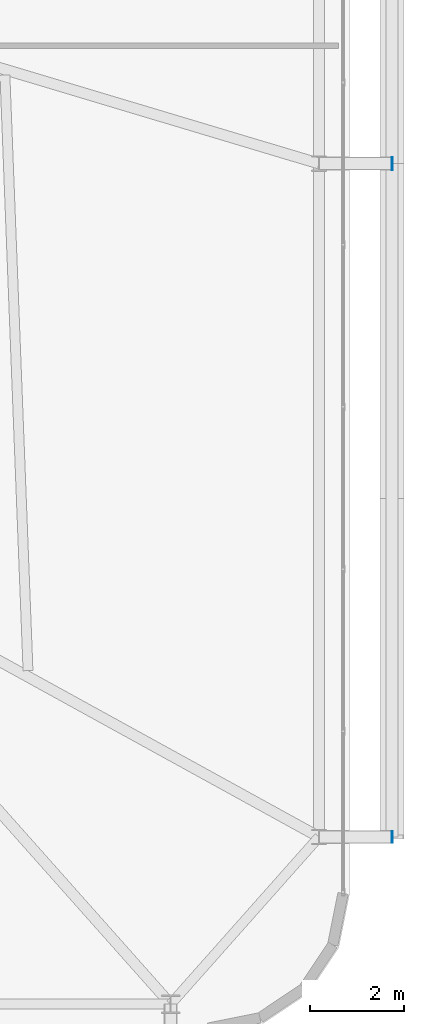
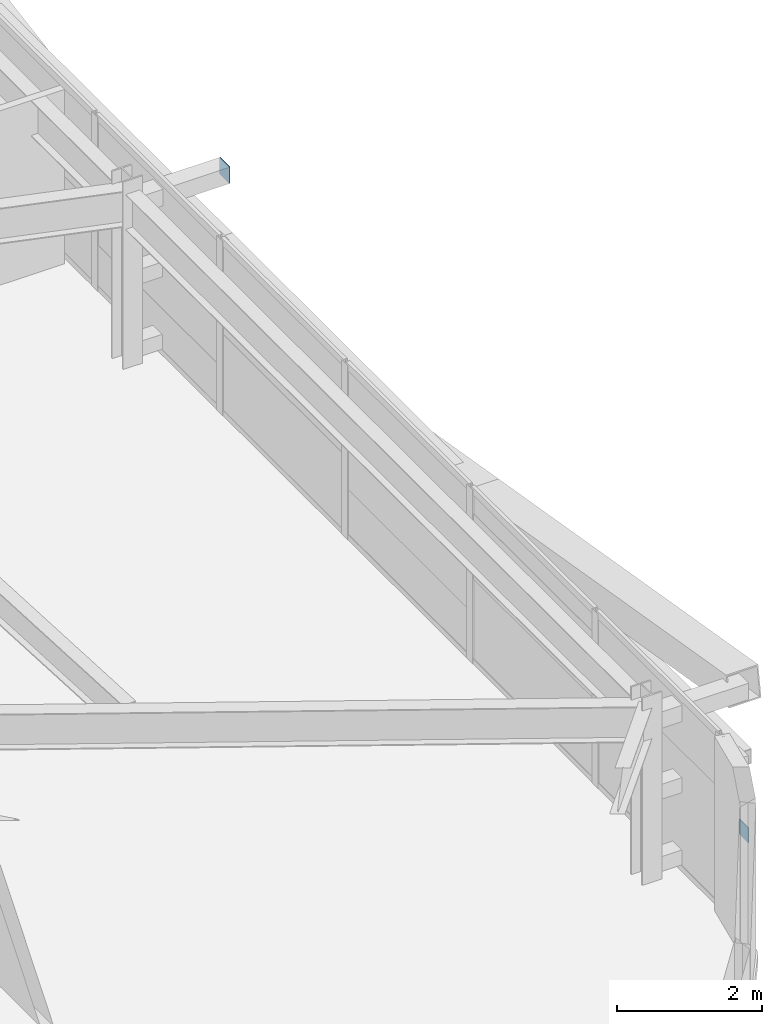
# One storey, part 48 of 58: 2 plates.
"""IFC4 building model written with IfcOpenShell, lengths in metres."""

from ifc_helpers import new_model, si_unit, direction, frame, origin, origin_2d, place, context, subcontext, project, spatial, rectangle, extrude, source, transform, mapped, material, layer, layer_set, type_object, element, save


model = new_model("IFC4")

# Units and contexts
model_context = context("Model", 3, precision=1e-05, world=origin(), true_north=direction((0.0, 1.0)))
body_context = subcontext(model_context, "Body", "Model", "MODEL_VIEW")
ifc_project = project(units=[si_unit("LENGTHUNIT", "METRE"), si_unit("AREAUNIT", "SQUARE_METRE"), si_unit("VOLUMEUNIT", "CUBIC_METRE"), si_unit("PLANEANGLEUNIT", "RADIAN"), si_unit("MASSUNIT", "GRAM", prefix="KILO")], contexts=[model_context])

# Site, building, storey
site_placement = place(None, origin())
site = spatial("IfcSite", under=ifc_project, at=site_placement, CompositionType="ELEMENT")
building_placement = place(site_placement, origin())
building = spatial("IfcBuilding", under=site, at=building_placement, Name="Taldren Reach Tower", CompositionType="ELEMENT")
storey_placement = place(building_placement, frame((0.0, 0.0, 32.550048828125)))
storey = spatial("IfcBuildingStorey", under=building, at=storey_placement, Name="L09", CompositionType="ELEMENT", Elevation=32.550048828125)

# Plates
ifc_material_1 = material(Name="Steel Gr 450 (C450L0)", Category="steel")
ifc_layer_1 = layer(ifc_material_1, 0.011962890625)
ifc_layer_set_1 = layer_set([ifc_layer_1], Name="Steel Gr 450 (C450L0)")
plate_type_1 = type_object("IfcPlateType", Name="PL-CAP-275", PredefinedType="SHEET", material=ifc_layer_set_1)
shared_shape_1 = source(origin(), body_context, "Body", "SweptSolid", [
    extrude(rectangle(XDim=0.011962890625, YDim=0.27490234375, at=origin_2d()), origin(), (0.0, 0.0, 1.0), 0.27490234375),
])
plate_1_placement = place(storey_placement, frame((65.906005859375, 20.0, 2.512451171875), z_axis=(0.0, 0.0, 1.0), x_axis=(1.0, 0.0, 0.0)))
element("IfcPlate", 1, at=plate_1_placement, inside=storey, type_object=plate_type_1, Name="Tie strut end cap plate B1-E2 L09", PredefinedType="SHEET", context=body_context, shape_type="MappedRepresentation", body=[
    mapped(shared_shape_1, transform((0.0, 0.0, 0.0), scale=1.0)),
])
ifc_material_2 = material(Name="Steel Gr 350 (C350L0)", Category="steel")
ifc_layer_2 = layer(ifc_material_2, 0.011962890625)
ifc_layer_set_2 = layer_set([ifc_layer_2], Name="Steel Gr 350 (C350L0)")
plate_type_2 = type_object("IfcPlateType", Name="PL-CAP-250", PredefinedType="SHEET", material=ifc_layer_set_2)
shared_shape_2 = source(origin(), body_context, "Body", "SweptSolid", [
    extrude(rectangle(XDim=0.011962890625, YDim=0.25, at=origin_2d()), origin(), (0.0, 0.0, 1.0), 0.25),
])
plate_2_placement = place(storey_placement, frame((65.906005859375, 5.699951171875, 0.094970703125), z_axis=(0.0, 0.0, 1.0), x_axis=(1.0, 0.0, 0.0)))
element("IfcPlate", 2, at=plate_2_placement, inside=storey, type_object=plate_type_2, Name="Tie strut end cap plate B1-E1 L09", PredefinedType="SHEET", context=body_context, shape_type="MappedRepresentation", body=[
    mapped(shared_shape_2, transform((0.0, 0.0, 0.0), scale=1.0)),
])

save(model, "model.ifc")
